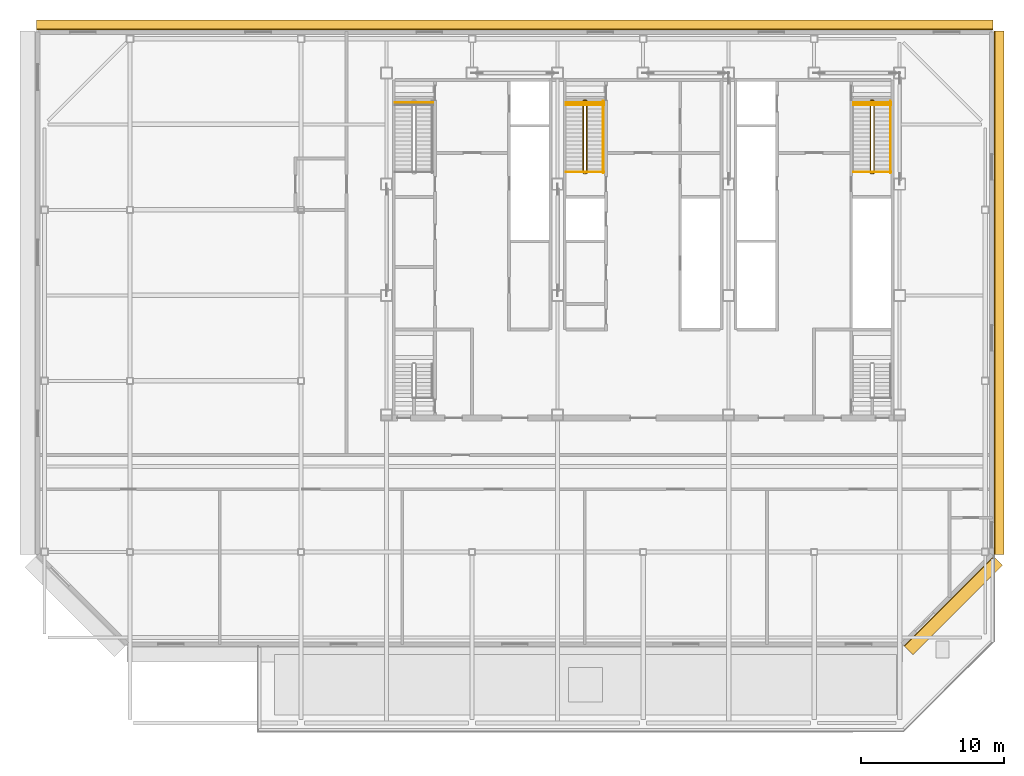
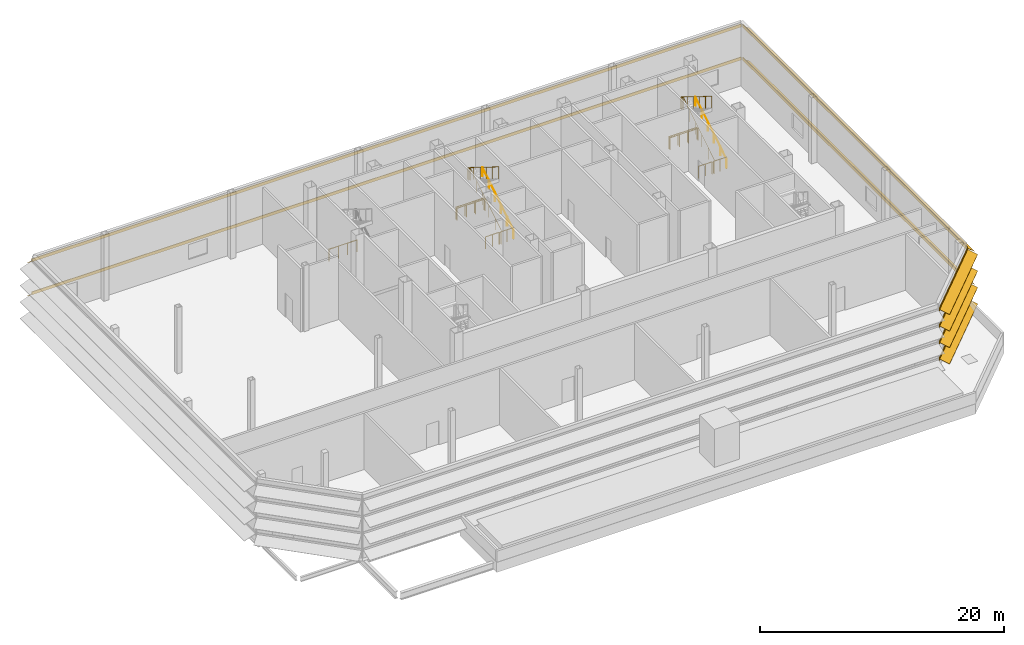
# One storey, part 13 of 14: 13 railings, 3 shading devices.
"""IFC4 building model written with IfcOpenShell, lengths in metres."""

import ifcopenshell
import ifcopenshell.guid

model = None  # the IFC model being written
_history = None  # IfcOwnerHistory: only IFC2X3 demands one
_inside = {}  # id of a spatial element -> (the spatial element, [elements in it])
_under = {}  # id of a project, library or spatial element -> (it, [spatial elements below it])
_declared = {}  # id of a project -> (the project, [libraries it declares])
_typed = {}  # id of a type object -> (the type object, [elements of that type])
_made_of = {}  # id of a material, layer set ... -> (it, [elements and type objects made of it])


def new_model(schema):
    """Start an empty IFC model of exactly this schema.

    Asked for "IFC4X3", IfcOpenShell would pick the latest addendum, in which some entities
    have other attributes; the version numbers below select the first issue.
    IFC2X3 requires an IfcOwnerHistory on every rooted entity: one is made here for all.
    """
    global model, _history
    if schema == "IFC4X3":
        model = ifcopenshell.file(schema_version=(4, 3, 0, 0))
    else:
        model = ifcopenshell.file(schema=schema)
    _inside.clear()
    _under.clear()
    _declared.clear()
    _typed.clear()
    _made_of.clear()
    _history = None
    if model.schema == "IFC2X3":
        org = make("IfcOrganization", Name="unknown")
        user = make(
            "IfcPersonAndOrganization",
            ThePerson=make("IfcPerson", FamilyName="unknown"),
            TheOrganization=org,
        )
        app = make(
            "IfcApplication",
            ApplicationDeveloper=org,
            Version="unknown",
            ApplicationFullName="unknown",
            ApplicationIdentifier="unknown",
        )
        _history = make(
            "IfcOwnerHistory",
            OwningUser=user,
            OwningApplication=app,
            ChangeAction="ADDED",
            CreationDate=0,
        )
    return model


def make(cls, **values):
    """One entity of the class cls with the attributes given. An attribute that is None is left unset."""
    return model.create_entity(
        cls, **{name: value for name, value in values.items() if value is not None}
    )


def rooted(cls, **values):
    """An entity with a GlobalId (a new one), such as an element, a storey or a relation."""
    return make(cls, GlobalId=ifcopenshell.guid.new(), OwnerHistory=_history, **values)


def si_unit(unit_type, name, prefix=None):
    """IfcSIUnit, for example si_unit("LENGTHUNIT", "METRE", prefix="MILLI")."""
    return make("IfcSIUnit", UnitType=unit_type, Prefix=prefix, Name=name)


def assignment(units):
    """IfcUnitAssignment: the units of a project."""
    return None if units is None else make("IfcUnitAssignment", Units=units)


def point(xyz):
    """IfcCartesianPoint."""
    return None if xyz is None else make("IfcCartesianPoint", Coordinates=xyz)


def direction(xyz):
    """IfcDirection."""
    return None if xyz is None else make("IfcDirection", DirectionRatios=xyz)


def frame(location, z_axis=None, x_axis=None):
    """IfcAxis2Placement3D, a coordinate frame: its origin and axes. An axis left out is left unset."""
    return make(
        "IfcAxis2Placement3D",
        Location=point(location),
        Axis=direction(z_axis),
        RefDirection=direction(x_axis),
    )


def frame_2d(location, x_axis=None):
    """IfcAxis2Placement2D, a coordinate frame in the plane: its origin and x axis."""
    return make(
        "IfcAxis2Placement2D", Location=point(location), RefDirection=direction(x_axis)
    )


def origin():
    """The frame at (0, 0, 0) with its axes left unset."""
    return frame((0.0, 0.0, 0.0))


def origin_2d():
    """The frame at (0, 0) in the plane with its x axis left unset."""
    return frame_2d((0.0, 0.0))


def place(relative_to, where):
    """IfcLocalPlacement: puts the frame where relative to a parent placement (None: the world)."""
    return make(
        "IfcLocalPlacement", PlacementRelTo=relative_to, RelativePlacement=where
    )


def context(
    kind, dimensions, precision=None, world=None, true_north=None, identifier=None
):
    """IfcGeometricRepresentationContext, for example the 3D "Model" context."""
    return make(
        "IfcGeometricRepresentationContext",
        ContextIdentifier=identifier,
        ContextType=kind,
        CoordinateSpaceDimension=dimensions,
        Precision=precision,
        WorldCoordinateSystem=world,
        TrueNorth=true_north,
    )


def subcontext(parent, identifier, kind, view, scale=None):
    """IfcGeometricRepresentationSubContext, for example "Body" below "Model"."""
    return make(
        "IfcGeometricRepresentationSubContext",
        ContextIdentifier=identifier,
        ContextType=kind,
        ParentContext=parent,
        TargetScale=scale,
        TargetView=view,
    )


def project(units=None, contexts=None):
    """IfcProject with its units and contexts."""
    return rooted(
        "IfcProject",
        Name="project",
        RepresentationContexts=contexts,
        UnitsInContext=assignment(units),
    )


def spatial(cls, under=None, at=None, **own):
    """A site, building, storey or space (cls), placed at a placement, below another one or the project."""
    s = rooted(cls, ObjectPlacement=at, **own)
    if under is not None:
        _under.setdefault(under.id(), (under, []))[1].append(s)
    return s


def polyline(points):
    """IfcPolyline through the points."""
    return make("IfcPolyline", Points=[point(p) for p in points])


def profile(cls, at=None, kind="AREA", **sizes):
    """A parametric profile (cls). Its sizes go by their IFC names, for example OverallWidth=200.0."""
    return make(cls, ProfileType=kind, Position=at, **sizes)


def circle(**sizes):
    """IfcCircleProfileDef."""
    return profile("IfcCircleProfileDef", **sizes)


def outline(outer, holes=None, kind="AREA"):
    """IfcArbitraryClosedProfileDef: a profile drawn as a closed curve; with holes, ...WithVoids."""
    if holes is None:
        return make("IfcArbitraryClosedProfileDef", ProfileType=kind, OuterCurve=outer)
    return make(
        "IfcArbitraryProfileDefWithVoids",
        ProfileType=kind,
        OuterCurve=outer,
        InnerCurves=holes,
    )


def composite_profile(profiles, kind="AREA"):
    """IfcCompositeProfileDef: several profiles as one."""
    return make("IfcCompositeProfileDef", ProfileType=kind, Profiles=profiles)


def extrude(swept, where, along, depth):
    """IfcExtrudedAreaSolid: the profile swept, set in the frame where, extruded along a direction by depth."""
    return make(
        "IfcExtrudedAreaSolid",
        SweptArea=swept,
        Position=where,
        ExtrudedDirection=direction(along),
        Depth=depth,
    )


def shape(context_of_items, identifier, shape_type, items):
    """IfcShapeRepresentation: the items that make up one representation, for example the "Body"."""
    return make(
        "IfcShapeRepresentation",
        ContextOfItems=context_of_items,
        RepresentationIdentifier=identifier,
        RepresentationType=shape_type,
        Items=items,
    )


def material(Name=None, Category=None):
    """IfcMaterial."""
    return make("IfcMaterial", Name=Name, Category=Category)


def made_of(thing, what):
    """Note that an element or type object is made of a material, layer set ...; save() writes the relation."""
    if what is not None:
        _made_of.setdefault(what.id(), (what, []))[1].append(thing)
    return thing


def type_object(cls, material=None, **own):
    """A type object (cls), such as IfcWallType, which elements share."""
    return made_of(rooted(cls, **own), material)


def element(
    cls,
    number,
    at=None,
    inside=None,
    cuts=None,
    type_object=None,
    material=None,
    context=None,
    identifier="Body",
    shape_type=None,
    held_by="IfcProductDefinitionShape",
    body=None,
    shapes=None,
    **own,
):
    """One element of the class cls, such as IfcWall. Its Tag is "e" and its number.

    at: its placement. inside: the storey or other place that contains it. cuts: it is an
    opening in that element (IfcRelVoidsElement). A single representation is given by context,
    identifier, shape_type and body (its items); several are given by shapes. held_by: the class
    of the entity that holds the representations. save() writes the other relations.
    """
    e = rooted(cls, Tag="e%d" % number, ObjectPlacement=at, **own)
    if body is not None:
        shapes = [shape(context, identifier, shape_type, body)]
    if shapes is not None:
        e.Representation = make(held_by, Representations=shapes)
    if inside is not None:
        _inside.setdefault(inside.id(), (inside, []))[1].append(e)
    if cuts is not None:
        rooted(
            "IfcRelVoidsElement", RelatingBuildingElement=cuts, RelatedOpeningElement=e
        )
    if type_object is not None:
        _typed.setdefault(type_object.id(), (type_object, []))[1].append(e)
    return made_of(e, material)


def aggregate(whole, parts):
    """IfcRelAggregates: a whole, such as a stair, and the parts it consists of."""
    return rooted("IfcRelAggregates", RelatingObject=whole, RelatedObjects=parts)


def save(model, path):
    """Write the relations noted so far, then the file.

    IfcRelAggregates (storeys below a building ...), IfcRelContainedInSpatialStructure (elements
    in a storey), IfcRelDefinesByType, IfcRelAssociatesMaterial and IfcRelDeclares: one each for
    every whole, place, type object, material and project.
    """
    for whole, parts in _under.values():
        aggregate(whole, parts)
    for where, things in _inside.values():
        rooted(
            "IfcRelContainedInSpatialStructure",
            RelatedElements=things,
            RelatingStructure=where,
        )
    for kind, things in _typed.values():
        rooted("IfcRelDefinesByType", RelatedObjects=things, RelatingType=kind)
    for what, things in _made_of.values():
        rooted("IfcRelAssociatesMaterial", RelatedObjects=things, RelatingMaterial=what)
    for by, libraries in _declared.values():
        rooted("IfcRelDeclares", RelatingContext=by, RelatedDefinitions=libraries)
    model.write(path)


model = new_model("IFC4")

# Units and contexts
model_context = context("Model", 3, precision=1e-05, world=origin(), true_north=direction((0.0, 1.0)))
body_context = subcontext(model_context, "Body", "Model", "MODEL_VIEW")
ifc_project = project(units=[si_unit("LENGTHUNIT", "METRE"), si_unit("AREAUNIT", "SQUARE_METRE"), si_unit("VOLUMEUNIT", "CUBIC_METRE"), si_unit("PLANEANGLEUNIT", "RADIAN"), si_unit("MASSUNIT", "GRAM", prefix="KILO")], contexts=[model_context])

# Site, building, storey
site_placement = place(None, origin())
site = spatial("IfcSite", under=ifc_project, at=site_placement, CompositionType="ELEMENT")
building_placement = place(site_placement, origin())
building = spatial("IfcBuilding", under=site, at=building_placement, Name="Sorahane Residences", CompositionType="ELEMENT")
storey_placement = place(building_placement, frame((0.0, 0.0, 331.199951171875)))
storey = spatial("IfcBuildingStorey", under=building, at=storey_placement, Name="L79", CompositionType="ELEMENT", Elevation=331.199951171875)

# Shading devices
ifc_material_1 = material(Name="Terracotta anodised aluminium", Category="masonry")
shading_device_type_1 = type_object("IfcShadingDeviceType", Name="Louvre sunshade blade E terracotta aluminium 700", PredefinedType="JALOUSIE", material=ifc_material_1)
shading_device_1_placement = place(storey_placement, frame((48.60009765625, 11.801513671875, 2.47509765625), z_axis=(0.0, 1.0, 0.0), x_axis=(-1.0, 0.0, 0.0)))
element("IfcShadingDevice", 1, at=shading_device_1_placement, inside=storey, type_object=shading_device_type_1, Name="Louvre sunshade blade bank E L79 E1", PredefinedType="JALOUSIE", context=body_context, shape_type="SweptSolid", body=[
    extrude(composite_profile([outline(polyline([(-0.719970703125, -0.49365234375), (-0.719970703125, -0.523681640625), (-0.080078125, -0.05859375), (-0.080078125, -0.14990234375), (-0.02001953125, -0.14990234375), (-0.02001953125, -0.014892578125), (-0.02001953125, 0.014892578125), (-0.02001953125, 0.14990234375), (-0.080078125, 0.14990234375), (-0.080078125, -0.028564453125), (-0.719970703125, -0.49365234375)])), outline(polyline([(-0.719970703125, 2.806396484375), (-0.719970703125, 2.7763671875), (-0.080078125, 3.241455078125), (-0.080078125, 3.14990234375), (-0.02001953125, 3.14990234375), (-0.02001953125, 3.284912109375), (-0.02001953125, 3.31494140625), (-0.02001953125, 3.449951171875), (-0.080078125, 3.449951171875), (-0.080078125, 3.271484375), (-0.719970703125, 2.806396484375)]))]), origin(), (0.0, 0.0, 1.0), 36.74853515625),
])
ifc_material_2 = material(Name="Terracotta anodised aluminium", Category="masonry")
shading_device_type_2 = type_object("IfcShadingDeviceType", Name="Louvre sunshade blade N terracotta aluminium 700", PredefinedType="JALOUSIE", material=ifc_material_2)
shading_device_2_placement = place(storey_placement, frame((48.550048828125, 48.60009765625, 2.47509765625), z_axis=(-1.0, 0.0, 0.0), x_axis=(0.0, -1.0, 0.0)))
element("IfcShadingDevice", 2, at=shading_device_2_placement, inside=storey, type_object=shading_device_type_2, Name="Louvre sunshade blade bank N L79 N1", PredefinedType="JALOUSIE", context=body_context, shape_type="SweptSolid", body=[
    extrude(composite_profile([outline(polyline([(-0.719970703125, -0.660888671875), (-0.719970703125, -0.69091796875), (-0.080078125, -0.072998046875), (-0.080078125, -0.14990234375), (-0.02001953125, -0.14990234375), (-0.02001953125, -0.014892578125), (-0.02001953125, 0.014892578125), (-0.02001953125, 0.14990234375), (-0.080078125, 0.14990234375), (-0.080078125, -0.04296875), (-0.719970703125, -0.660888671875)])), outline(polyline([(-0.719970703125, 2.638916015625), (-0.719970703125, 2.60888671875), (-0.080078125, 3.22705078125), (-0.080078125, 3.14990234375), (-0.02001953125, 3.14990234375), (-0.02001953125, 3.284912109375), (-0.02001953125, 3.31494140625), (-0.02001953125, 3.449951171875), (-0.080078125, 3.449951171875), (-0.080078125, 3.257080078125), (-0.719970703125, 2.638916015625)]))]), origin(), (0.0, 0.0, 1.0), 67.10009765625),
])
ifc_material_3 = material(Name="Terracotta anodised aluminium", Category="masonry")
shading_device_type_3 = type_object("IfcShadingDeviceType", Name="Louvre sunshade blade SE terracotta aluminium 900", PredefinedType="JALOUSIE", material=ifc_material_3)
shading_device_3_placement = place(storey_placement, frame((42.283935546875, 5.435302734375, 0.824951171875), z_axis=(0.707106781187, 0.707106781187, 0.0), x_axis=(-0.707106781187, 0.707106781187, 0.0)))
element("IfcShadingDevice", 3, at=shading_device_3_placement, inside=storey, type_object=shading_device_type_3, Name="Louvre sunshade blade bank SE L79 SE1", PredefinedType="JALOUSIE", context=body_context, shape_type="SweptSolid", body=[
    extrude(composite_profile([outline(polyline([(-0.919921875, -0.3486328125), (-0.919921875, -0.378662109375), (-0.080078125, -0.039306640625), (-0.080078125, -0.14990234375), (-0.02001953125, -0.14990234375), (-0.02001953125, -0.014892578125), (-0.02001953125, 0.014892578125), (-0.02001953125, 0.14990234375), (-0.080078125, 0.14990234375), (-0.080078125, -0.00927734375), (-0.919921875, -0.3486328125)])), outline(polyline([(-0.919921875, 1.301513671875), (-0.919921875, 1.271484375), (-0.080078125, 1.61083984375), (-0.080078125, 1.5), (-0.02001953125, 1.5), (-0.02001953125, 1.635009765625), (-0.02001953125, 1.6650390625), (-0.02001953125, 1.800048828125), (-0.080078125, 1.800048828125), (-0.080078125, 1.640869140625), (-0.919921875, 1.301513671875)])), outline(polyline([(-0.919921875, 2.951416015625), (-0.919921875, 2.92138671875), (-0.080078125, 3.2607421875), (-0.080078125, 3.14990234375), (-0.02001953125, 3.14990234375), (-0.02001953125, 3.284912109375), (-0.02001953125, 3.31494140625), (-0.02001953125, 3.449951171875), (-0.080078125, 3.449951171875), (-0.080078125, 3.290771484375), (-0.919921875, 2.951416015625)])), outline(polyline([(-0.919921875, 4.601318359375), (-0.919921875, 4.5712890625), (-0.080078125, 4.910888671875), (-0.080078125, 4.800048828125), (-0.02001953125, 4.800048828125), (-0.02001953125, 4.93505859375), (-0.02001953125, 4.965087890625), (-0.02001953125, 5.10009765625), (-0.080078125, 5.10009765625), (-0.080078125, 4.94091796875), (-0.919921875, 4.601318359375)]))]), origin(), (0.0, 0.0, 1.0), 8.88232421875),
])

# Railings
ifc_material_4 = material(Name="Steel Q355B", Category="steel")
railing_type_1 = type_object("IfcRailingType", Name="Stair guard 1200 Steel Q355B", PredefinedType="GUARDRAIL", material=ifc_material_4)
for number, where, name in (
    (4, (6.60009765625, 43.52490234375, 0.0), "L79 S1 top well guard 1"),
    (5, (38.75, 43.52490234375, 0.0), "L79 S2 top well guard 1"),
):
    element("IfcRailing", number, at=place(storey_placement, frame(where)), inside=storey, type_object=railing_type_1, Name=name, PredefinedType="GUARDRAIL", context=body_context, shape_type="SweptSolid", body=[
        extrude(circle(Radius=0.02392578125, at=origin_2d()), frame((0.0, 0.0, 1.17578125), z_axis=(1.0, 0.0, 0.0), x_axis=(0.0, 1.0, 0.0)), (0.0, 0.0, 1.0), 2.64990234375),
        extrude(circle(Radius=0.02099609375, at=origin_2d()), origin(), (0.0, 0.0, 1.0), 1.15185546875),
        extrude(circle(Radius=0.02099609375, at=origin_2d()), frame((0.88330078125, 0.0, 0.0)), (0.0, 0.0, 1.0), 1.15185546875),
        extrude(circle(Radius=0.02099609375, at=origin_2d()), frame((1.7666015625, 0.0, 0.0)), (0.0, 0.0, 1.0), 1.15185546875),
        extrude(circle(Radius=0.02099609375, at=origin_2d()), frame((2.64990234375, 0.0, 0.0)), (0.0, 0.0, 1.0), 1.15185546875),
    ])
for number, where, name in (
    (6, (38.75, 38.64990234375, 0.0), "L79 Stair S2 edge guard"),
    (7, (40.133056640625, 38.64990234375, 0.0), "L79 Stair S2 edge guard"),
):
    element("IfcRailing", number, at=place(storey_placement, frame(where)), inside=storey, type_object=railing_type_1, Name=name, PredefinedType="GUARDRAIL", context=body_context, shape_type="SweptSolid", body=[
        extrude(circle(Radius=0.02392578125, at=origin_2d()), frame((0.0, 0.0, 1.17578125), z_axis=(1.0, 0.0, 0.0), x_axis=(0.0, 1.0, 0.0)), (0.0, 0.0, 1.0), 1.266845703125),
        extrude(circle(Radius=0.02099609375, at=origin_2d()), origin(), (0.0, 0.0, 1.0), 1.15185546875),
        extrude(circle(Radius=0.02099609375, at=origin_2d()), frame((0.63330078125, 0.0, 0.0)), (0.0, 0.0, 1.0), 1.15185546875),
        extrude(circle(Radius=0.02099609375, at=origin_2d()), frame((1.266845703125, 0.0, 0.0)), (0.0, 0.0, 1.0), 1.15185546875),
    ])
railing_1_placement = place(storey_placement, frame((38.75, 43.35009765625, 0.0)))
element("IfcRailing", 8, at=railing_1_placement, inside=storey, type_object=railing_type_1, Name="L79 Stair S2 edge guard", PredefinedType="GUARDRAIL", context=body_context, shape_type="SweptSolid", body=[
    extrude(circle(Radius=0.02392578125, at=origin_2d()), frame((0.0, 0.0, 1.17578125), z_axis=(1.0, 0.0, 0.0), x_axis=(0.0, 1.0, 0.0)), (0.0, 0.0, 1.0), 2.64990234375),
    extrude(circle(Radius=0.02099609375, at=origin_2d()), origin(), (0.0, 0.0, 1.0), 1.15185546875),
    extrude(circle(Radius=0.02099609375, at=origin_2d()), frame((0.88330078125, 0.0, 0.0)), (0.0, 0.0, 1.0), 1.15185546875),
    extrude(circle(Radius=0.02099609375, at=origin_2d()), frame((1.7666015625, 0.0, 0.0)), (0.0, 0.0, 1.0), 1.15185546875),
    extrude(circle(Radius=0.02099609375, at=origin_2d()), frame((2.64990234375, 0.0, 0.0)), (0.0, 0.0, 1.0), 1.15185546875),
])
railing_2_placement = place(storey_placement, frame((40.0, 38.550048828125, 0.0)))
element("IfcRailing", 9, at=railing_2_placement, inside=storey, type_object=railing_type_1, Name="L79 S2 stair guard 1", PredefinedType="GUARDRAIL", context=body_context, shape_type="SweptSolid", body=[
    extrude(circle(Radius=0.02392578125, at=origin_2d()), frame((0.0, 0.0, 1.17578125), z_axis=(1.0, 0.0, 0.0), x_axis=(0.0, 1.0, 0.0)), (0.0, 0.0, 1.0), 0.14990234375),
    extrude(circle(Radius=0.02392578125, at=origin_2d()), frame((0.14990234375, 0.0, 1.17578125), z_axis=(0.266662732588, 0.266662732588, 0.92616519806), x_axis=(-0.707106781187, 0.707106781187, 0.0)), (0.0, 0.0, 1.0), 0.187744140625),
    extrude(circle(Radius=0.02392578125, at=origin_2d()), frame((0.199951171875, 0.050048828125, 1.349609375), z_axis=(0.0, 0.84978578655, 0.527128178888), x_axis=(-1.0, 0.0, 0.0)), (0.0, 0.0, 1.0), 5.9306640625),
    extrude(circle(Radius=0.02392578125, at=origin_2d()), frame((0.199951171875, 5.08984375, 4.47607421875), z_axis=(-0.707106781187, 0.707106781187, 0.0), x_axis=(-0.707106781187, -0.707106781187, 0.0)), (0.0, 0.0, 1.0), 0.07080078125),
    extrude(circle(Radius=0.02392578125, at=origin_2d()), frame((0.14990234375, 5.139892578125, 4.47607421875), z_axis=(-1.0, 0.0, 0.0), x_axis=(0.0, -1.0, 0.0)), (0.0, 0.0, 1.0), 0.14990234375),
    extrude(circle(Radius=0.02392578125, at=origin_2d()), frame((0.0, 5.139892578125, 4.47607421875), z_axis=(-0.266984349811, -0.266984349811, 0.925979866904), x_axis=(0.707106781187, -0.707106781187, 0.0)), (0.0, 0.0, 1.0), 0.1875),
    extrude(circle(Radius=0.02392578125, at=origin_2d()), frame((-0.050048828125, 5.08984375, 4.6494140625), z_axis=(0.0, -0.84976734637, 0.527157905227), x_axis=(1.0, 0.0, 0.0)), (0.0, 0.0, 1.0), 5.930908203125),
    extrude(circle(Radius=0.02099609375, at=origin_2d()), origin(), (0.0, 0.0, 1.0), 1.15185546875),
    extrude(circle(Radius=0.02099609375, at=origin_2d()), frame((0.14990234375, 0.0, 0.0)), (0.0, 0.0, 1.0), 1.15185546875),
    extrude(circle(Radius=0.02099609375, at=origin_2d()), frame((0.199951171875, 0.050048828125, 0.173828125)), (0.0, 0.0, 1.0), 1.15185546875),
    extrude(circle(Radius=0.02099609375, at=origin_2d()), frame((0.199951171875, 1.05810546875, 0.799072265625)), (0.0, 0.0, 1.0), 1.15185546875),
    extrude(circle(Radius=0.02099609375, at=origin_2d()), frame((0.199951171875, 2.06591796875, 1.42431640625)), (0.0, 0.0, 1.0), 1.15185546875),
    extrude(circle(Radius=0.02099609375, at=origin_2d()), frame((0.199951171875, 3.073974609375, 2.049560546875)), (0.0, 0.0, 1.0), 1.15185546875),
    extrude(circle(Radius=0.02099609375, at=origin_2d()), frame((0.199951171875, 4.081787109375, 2.6748046875)), (0.0, 0.0, 1.0), 1.15185546875),
    extrude(circle(Radius=0.02099609375, at=origin_2d()), frame((0.199951171875, 5.08984375, 3.300048828125)), (0.0, 0.0, 1.0), 1.15185546875),
    extrude(circle(Radius=0.02099609375, at=origin_2d()), frame((0.14990234375, 5.139892578125, 3.300048828125)), (0.0, 0.0, 1.0), 1.15185546875),
    extrude(circle(Radius=0.02099609375, at=origin_2d()), frame((0.0, 5.139892578125, 3.300048828125)), (0.0, 0.0, 1.0), 1.15185546875),
    extrude(circle(Radius=0.02099609375, at=origin_2d()), frame((-0.050048828125, 5.08984375, 3.4736328125)), (0.0, 0.0, 1.0), 1.15185546875),
    extrude(circle(Radius=0.02099609375, at=origin_2d()), frame((-0.050048828125, 4.081787109375, 4.098876953125)), (0.0, 0.0, 1.0), 1.15185546875),
    extrude(circle(Radius=0.02099609375, at=origin_2d()), frame((-0.050048828125, 3.073974609375, 4.72412109375)), (0.0, 0.0, 1.0), 1.15185546875),
    extrude(circle(Radius=0.02099609375, at=origin_2d()), frame((-0.050048828125, 2.06591796875, 5.349609375)), (0.0, 0.0, 1.0), 1.15185546875),
    extrude(circle(Radius=0.02099609375, at=origin_2d()), frame((-0.050048828125, 1.05810546875, 5.974853515625)), (0.0, 0.0, 1.0), 1.15185546875),
    extrude(circle(Radius=0.02099609375, at=origin_2d()), frame((-0.050048828125, 0.050048828125, 6.60009765625)), (0.0, 0.0, 1.0), 1.15185546875),
])
railing_3_placement = place(storey_placement, frame((18.60009765625, 43.52490234375, 0.0)))
element("IfcRailing", 10, at=railing_3_placement, inside=storey, type_object=railing_type_1, Name="L79 S3 top well guard 1", PredefinedType="GUARDRAIL", context=body_context, shape_type="SweptSolid", body=[
    extrude(circle(Radius=0.02392578125, at=origin_2d()), frame((0.0, 0.0, 1.17578125), z_axis=(1.0, 0.0, 0.0), x_axis=(0.0, 1.0, 0.0)), (0.0, 0.0, 1.0), 2.64990234375),
    extrude(circle(Radius=0.02099609375, at=origin_2d()), origin(), (0.0, 0.0, 1.0), 1.15185546875),
    extrude(circle(Radius=0.02099609375, at=origin_2d()), frame((0.88330078125, 0.0, 0.0)), (0.0, 0.0, 1.0), 1.15185546875),
    extrude(circle(Radius=0.02099609375, at=origin_2d()), frame((1.7666015625, 0.0, 0.0)), (0.0, 0.0, 1.0), 1.15185546875),
    extrude(circle(Radius=0.02099609375, at=origin_2d()), frame((2.64990234375, 0.0, 0.0)), (0.0, 0.0, 1.0), 1.15185546875),
])
for number, where, name in (
    (11, (18.60009765625, 38.64990234375, 0.0), "L79 Stair S3 edge guard"),
    (12, (19.983154296875, 38.64990234375, 0.0), "L79 Stair S3 edge guard"),
):
    element("IfcRailing", number, at=place(storey_placement, frame(where)), inside=storey, type_object=railing_type_1, Name=name, PredefinedType="GUARDRAIL", context=body_context, shape_type="SweptSolid", body=[
        extrude(circle(Radius=0.02392578125, at=origin_2d()), frame((0.0, 0.0, 1.17578125), z_axis=(1.0, 0.0, 0.0), x_axis=(0.0, 1.0, 0.0)), (0.0, 0.0, 1.0), 1.266845703125),
        extrude(circle(Radius=0.02099609375, at=origin_2d()), origin(), (0.0, 0.0, 1.0), 1.15185546875),
        extrude(circle(Radius=0.02099609375, at=origin_2d()), frame((0.63330078125, 0.0, 0.0)), (0.0, 0.0, 1.0), 1.15185546875),
        extrude(circle(Radius=0.02099609375, at=origin_2d()), frame((1.266845703125, 0.0, 0.0)), (0.0, 0.0, 1.0), 1.15185546875),
    ])
railing_4_placement = place(storey_placement, frame((18.60009765625, 43.35009765625, 0.0)))
element("IfcRailing", 13, at=railing_4_placement, inside=storey, type_object=railing_type_1, Name="L79 Stair S3 edge guard", PredefinedType="GUARDRAIL", context=body_context, shape_type="SweptSolid", body=[
    extrude(circle(Radius=0.02392578125, at=origin_2d()), frame((0.0, 0.0, 1.17578125), z_axis=(1.0, 0.0, 0.0), x_axis=(0.0, 1.0, 0.0)), (0.0, 0.0, 1.0), 2.64990234375),
    extrude(circle(Radius=0.02099609375, at=origin_2d()), origin(), (0.0, 0.0, 1.0), 1.15185546875),
    extrude(circle(Radius=0.02099609375, at=origin_2d()), frame((0.88330078125, 0.0, 0.0)), (0.0, 0.0, 1.0), 1.15185546875),
    extrude(circle(Radius=0.02099609375, at=origin_2d()), frame((1.7666015625, 0.0, 0.0)), (0.0, 0.0, 1.0), 1.15185546875),
    extrude(circle(Radius=0.02099609375, at=origin_2d()), frame((2.64990234375, 0.0, 0.0)), (0.0, 0.0, 1.0), 1.15185546875),
])
railing_5_placement = place(storey_placement, frame((19.85009765625, 38.550048828125, 0.0)))
element("IfcRailing", 14, at=railing_5_placement, inside=storey, type_object=railing_type_1, Name="L79 S3 stair guard 1", PredefinedType="GUARDRAIL", context=body_context, shape_type="SweptSolid", body=[
    extrude(circle(Radius=0.02392578125, at=origin_2d()), frame((0.0, 0.0, 1.17578125), z_axis=(1.0, 0.0, 0.0), x_axis=(0.0, 1.0, 0.0)), (0.0, 0.0, 1.0), 0.14990234375),
    extrude(circle(Radius=0.02392578125, at=origin_2d()), frame((0.14990234375, 0.0, 1.17578125), z_axis=(0.266662732588, 0.266662732588, 0.92616519806), x_axis=(-0.707106781187, 0.707106781187, 0.0)), (0.0, 0.0, 1.0), 0.187744140625),
    extrude(circle(Radius=0.02392578125, at=origin_2d()), frame((0.199951171875, 0.050048828125, 1.349609375), z_axis=(0.0, 0.84978578655, 0.527128178888), x_axis=(-1.0, 0.0, 0.0)), (0.0, 0.0, 1.0), 5.9306640625),
    extrude(circle(Radius=0.02392578125, at=origin_2d()), frame((0.199951171875, 5.08984375, 4.47607421875), z_axis=(-0.707106781187, 0.707106781187, 0.0), x_axis=(-0.707106781187, -0.707106781187, 0.0)), (0.0, 0.0, 1.0), 0.07080078125),
    extrude(circle(Radius=0.02392578125, at=origin_2d()), frame((0.14990234375, 5.139892578125, 4.47607421875), z_axis=(-1.0, 0.0, 0.0), x_axis=(0.0, -1.0, 0.0)), (0.0, 0.0, 1.0), 0.14990234375),
    extrude(circle(Radius=0.02392578125, at=origin_2d()), frame((0.0, 5.139892578125, 4.47607421875), z_axis=(-0.266984349811, -0.266984349811, 0.925979866904), x_axis=(0.707106781187, -0.707106781187, 0.0)), (0.0, 0.0, 1.0), 0.1875),
    extrude(circle(Radius=0.02392578125, at=origin_2d()), frame((-0.050048828125, 5.08984375, 4.6494140625), z_axis=(0.0, -0.84976734637, 0.527157905227), x_axis=(1.0, 0.0, 0.0)), (0.0, 0.0, 1.0), 5.930908203125),
    extrude(circle(Radius=0.02099609375, at=origin_2d()), origin(), (0.0, 0.0, 1.0), 1.15185546875),
    extrude(circle(Radius=0.02099609375, at=origin_2d()), frame((0.14990234375, 0.0, 0.0)), (0.0, 0.0, 1.0), 1.15185546875),
    extrude(circle(Radius=0.02099609375, at=origin_2d()), frame((0.199951171875, 0.050048828125, 0.173828125)), (0.0, 0.0, 1.0), 1.15185546875),
    extrude(circle(Radius=0.02099609375, at=origin_2d()), frame((0.199951171875, 1.05810546875, 0.799072265625)), (0.0, 0.0, 1.0), 1.15185546875),
    extrude(circle(Radius=0.02099609375, at=origin_2d()), frame((0.199951171875, 2.06591796875, 1.42431640625)), (0.0, 0.0, 1.0), 1.15185546875),
    extrude(circle(Radius=0.02099609375, at=origin_2d()), frame((0.199951171875, 3.073974609375, 2.049560546875)), (0.0, 0.0, 1.0), 1.15185546875),
    extrude(circle(Radius=0.02099609375, at=origin_2d()), frame((0.199951171875, 4.081787109375, 2.6748046875)), (0.0, 0.0, 1.0), 1.15185546875),
    extrude(circle(Radius=0.02099609375, at=origin_2d()), frame((0.199951171875, 5.08984375, 3.300048828125)), (0.0, 0.0, 1.0), 1.15185546875),
    extrude(circle(Radius=0.02099609375, at=origin_2d()), frame((0.14990234375, 5.139892578125, 3.300048828125)), (0.0, 0.0, 1.0), 1.15185546875),
    extrude(circle(Radius=0.02099609375, at=origin_2d()), frame((0.0, 5.139892578125, 3.300048828125)), (0.0, 0.0, 1.0), 1.15185546875),
    extrude(circle(Radius=0.02099609375, at=origin_2d()), frame((-0.050048828125, 5.08984375, 3.4736328125)), (0.0, 0.0, 1.0), 1.15185546875),
    extrude(circle(Radius=0.02099609375, at=origin_2d()), frame((-0.050048828125, 4.081787109375, 4.098876953125)), (0.0, 0.0, 1.0), 1.15185546875),
    extrude(circle(Radius=0.02099609375, at=origin_2d()), frame((-0.050048828125, 3.073974609375, 4.72412109375)), (0.0, 0.0, 1.0), 1.15185546875),
    extrude(circle(Radius=0.02099609375, at=origin_2d()), frame((-0.050048828125, 2.06591796875, 5.349609375)), (0.0, 0.0, 1.0), 1.15185546875),
    extrude(circle(Radius=0.02099609375, at=origin_2d()), frame((-0.050048828125, 1.05810546875, 5.974853515625)), (0.0, 0.0, 1.0), 1.15185546875),
    extrude(circle(Radius=0.02099609375, at=origin_2d()), frame((-0.050048828125, 0.050048828125, 6.60009765625)), (0.0, 0.0, 1.0), 1.15185546875),
])
ifc_material_5 = material(Name="Steel Q355B", Category="steel")
railing_type_2 = type_object("IfcRailingType", Name="Stair handrail 900 Steel Q355B", PredefinedType="HANDRAIL", material=ifc_material_5)
for number, where, name in (
    (15, (41.35009765625, 38.60009765625, 0.173828125), "L79 S2 stair handrail 1"),
    (16, (21.199951171875, 38.60009765625, 0.173828125), "L79 S3 stair handrail 1"),
):
    element("IfcRailing", number, at=place(storey_placement, frame(where)), inside=storey, type_object=railing_type_2, Name=name, PredefinedType="HANDRAIL", context=body_context, shape_type="SweptSolid", body=[
        extrude(circle(Radius=0.02392578125, at=origin_2d()), frame((0.0, 0.0, 0.8759765625), z_axis=(0.0, 0.84978578655, 0.527128178888), x_axis=(-1.0, 0.0, 0.0)), (0.0, 0.0, 1.0), 5.9306640625),
        extrude(circle(Radius=0.02099609375, at=origin_2d()), origin(), (0.0, 0.0, 1.0), 0.851806640625),
        extrude(circle(Radius=0.02099609375, at=origin_2d()), frame((0.0, 1.008056640625, 0.625244140625)), (0.0, 0.0, 1.0), 0.851806640625),
        extrude(circle(Radius=0.02099609375, at=origin_2d()), frame((0.0, 2.015869140625, 1.25048828125)), (0.0, 0.0, 1.0), 0.851806640625),
        extrude(circle(Radius=0.02099609375, at=origin_2d()), frame((0.0, 3.02392578125, 1.875732421875)), (0.0, 0.0, 1.0), 0.851806640625),
        extrude(circle(Radius=0.02099609375, at=origin_2d()), frame((0.0, 4.03173828125, 2.5009765625)), (0.0, 0.0, 1.0), 0.851806640625),
        extrude(circle(Radius=0.02099609375, at=origin_2d()), frame((0.0, 5.039794921875, 3.126220703125)), (0.0, 0.0, 1.0), 0.851806640625),
    ])

save(model, "model.ifc")
